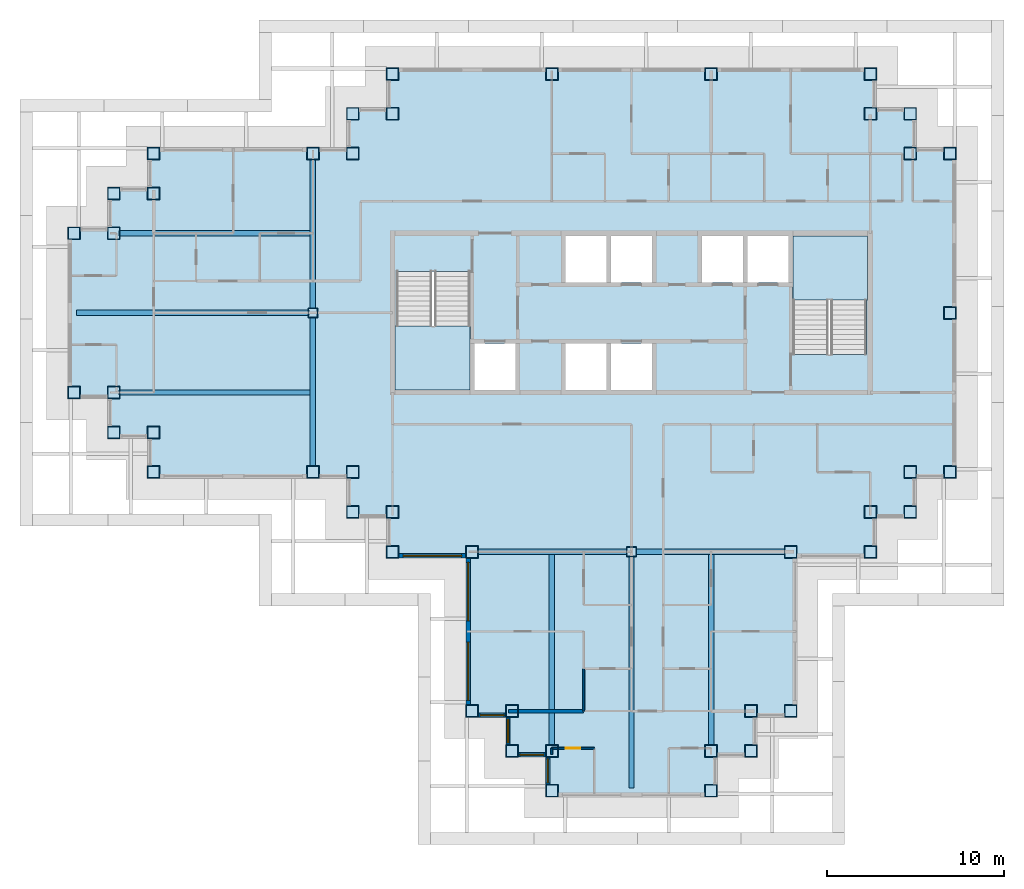
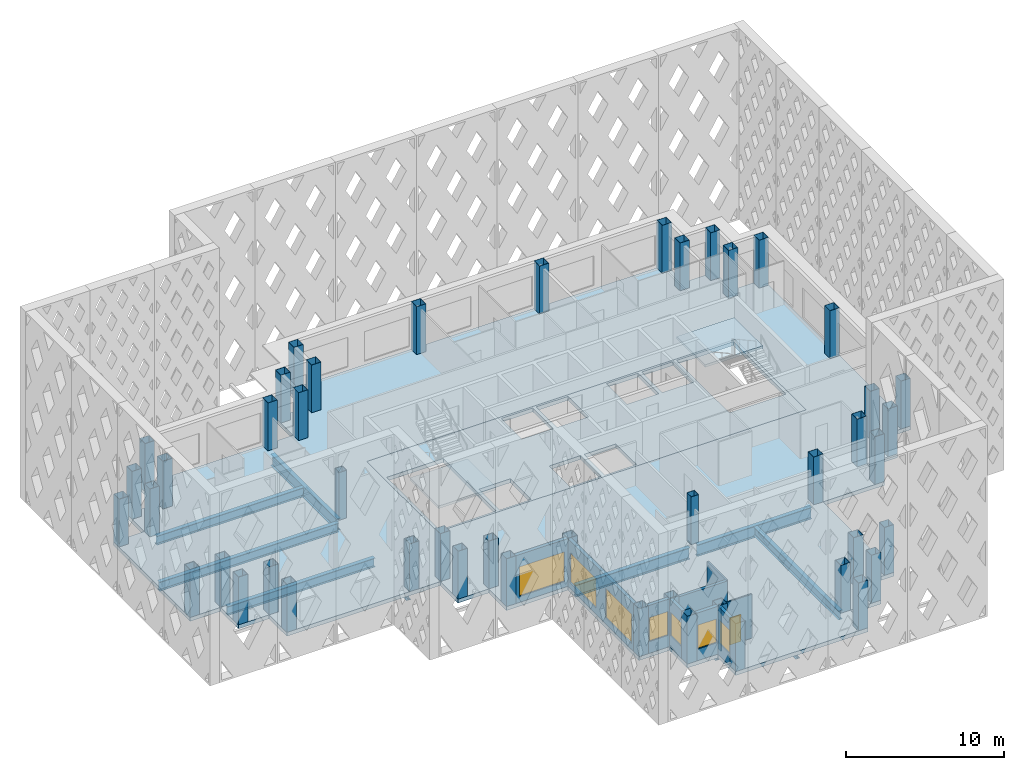
# One storey, part 1 of 17: 47 columns, 10 beams, 10 walls, 7 windows, 4 slabs, 1 door, 8 openings, 2 elements without a shape of their own.
"""IFC4 building model written with IfcOpenShell, lengths in metres."""

import ifcopenshell
import ifcopenshell.guid

model = None  # the IFC model being written
_history = None  # IfcOwnerHistory: only IFC2X3 demands one
_inside = {}  # id of a spatial element -> (the spatial element, [elements in it])
_under = {}  # id of a project, library or spatial element -> (it, [spatial elements below it])
_declared = {}  # id of a project -> (the project, [libraries it declares])
_typed = {}  # id of a type object -> (the type object, [elements of that type])
_made_of = {}  # id of a material, layer set ... -> (it, [elements and type objects made of it])


def new_model(schema):
    """Start an empty IFC model of exactly this schema.

    Asked for "IFC4X3", IfcOpenShell would pick the latest addendum, in which some entities
    have other attributes; the version numbers below select the first issue.
    IFC2X3 requires an IfcOwnerHistory on every rooted entity: one is made here for all.
    """
    global model, _history
    if schema == "IFC4X3":
        model = ifcopenshell.file(schema_version=(4, 3, 0, 0))
    else:
        model = ifcopenshell.file(schema=schema)
    _inside.clear()
    _under.clear()
    _declared.clear()
    _typed.clear()
    _made_of.clear()
    _history = None
    if model.schema == "IFC2X3":
        org = make("IfcOrganization", Name="unknown")
        user = make(
            "IfcPersonAndOrganization",
            ThePerson=make("IfcPerson", FamilyName="unknown"),
            TheOrganization=org,
        )
        app = make(
            "IfcApplication",
            ApplicationDeveloper=org,
            Version="unknown",
            ApplicationFullName="unknown",
            ApplicationIdentifier="unknown",
        )
        _history = make(
            "IfcOwnerHistory",
            OwningUser=user,
            OwningApplication=app,
            ChangeAction="ADDED",
            CreationDate=0,
        )
    return model


def make(cls, **values):
    """One entity of the class cls with the attributes given. An attribute that is None is left unset."""
    return model.create_entity(
        cls, **{name: value for name, value in values.items() if value is not None}
    )


def rooted(cls, **values):
    """An entity with a GlobalId (a new one), such as an element, a storey or a relation."""
    return make(cls, GlobalId=ifcopenshell.guid.new(), OwnerHistory=_history, **values)


def si_unit(unit_type, name, prefix=None):
    """IfcSIUnit, for example si_unit("LENGTHUNIT", "METRE", prefix="MILLI")."""
    return make("IfcSIUnit", UnitType=unit_type, Prefix=prefix, Name=name)


def assignment(units):
    """IfcUnitAssignment: the units of a project."""
    return None if units is None else make("IfcUnitAssignment", Units=units)


def point(xyz):
    """IfcCartesianPoint."""
    return None if xyz is None else make("IfcCartesianPoint", Coordinates=xyz)


def direction(xyz):
    """IfcDirection."""
    return None if xyz is None else make("IfcDirection", DirectionRatios=xyz)


def frame(location, z_axis=None, x_axis=None):
    """IfcAxis2Placement3D, a coordinate frame: its origin and axes. An axis left out is left unset."""
    return make(
        "IfcAxis2Placement3D",
        Location=point(location),
        Axis=direction(z_axis),
        RefDirection=direction(x_axis),
    )


def frame_2d(location, x_axis=None):
    """IfcAxis2Placement2D, a coordinate frame in the plane: its origin and x axis."""
    return make(
        "IfcAxis2Placement2D", Location=point(location), RefDirection=direction(x_axis)
    )


def origin():
    """The frame at (0, 0, 0) with its axes left unset."""
    return frame((0.0, 0.0, 0.0))


def origin_2d():
    """The frame at (0, 0) in the plane with its x axis left unset."""
    return frame_2d((0.0, 0.0))


def place(relative_to, where):
    """IfcLocalPlacement: puts the frame where relative to a parent placement (None: the world)."""
    return make(
        "IfcLocalPlacement", PlacementRelTo=relative_to, RelativePlacement=where
    )


def context(
    kind, dimensions, precision=None, world=None, true_north=None, identifier=None
):
    """IfcGeometricRepresentationContext, for example the 3D "Model" context."""
    return make(
        "IfcGeometricRepresentationContext",
        ContextIdentifier=identifier,
        ContextType=kind,
        CoordinateSpaceDimension=dimensions,
        Precision=precision,
        WorldCoordinateSystem=world,
        TrueNorth=true_north,
    )


def subcontext(parent, identifier, kind, view, scale=None):
    """IfcGeometricRepresentationSubContext, for example "Body" below "Model"."""
    return make(
        "IfcGeometricRepresentationSubContext",
        ContextIdentifier=identifier,
        ContextType=kind,
        ParentContext=parent,
        TargetScale=scale,
        TargetView=view,
    )


def project(units=None, contexts=None):
    """IfcProject with its units and contexts."""
    return rooted(
        "IfcProject",
        Name="project",
        RepresentationContexts=contexts,
        UnitsInContext=assignment(units),
    )


def spatial(cls, under=None, at=None, **own):
    """A site, building, storey or space (cls), placed at a placement, below another one or the project."""
    s = rooted(cls, ObjectPlacement=at, **own)
    if under is not None:
        _under.setdefault(under.id(), (under, []))[1].append(s)
    return s


def polyline(points):
    """IfcPolyline through the points."""
    return make("IfcPolyline", Points=[point(p) for p in points])


def profile(cls, at=None, kind="AREA", **sizes):
    """A parametric profile (cls). Its sizes go by their IFC names, for example OverallWidth=200.0."""
    return make(cls, ProfileType=kind, Position=at, **sizes)


def rectangle(**sizes):
    """IfcRectangleProfileDef."""
    return profile("IfcRectangleProfileDef", **sizes)


def hollow_rectangle(**sizes):
    """IfcRectangleHollowProfileDef."""
    return profile("IfcRectangleHollowProfileDef", **sizes)


def i_section(**sizes):
    """IfcIShapeProfileDef."""
    return profile("IfcIShapeProfileDef", **sizes)


def outline(outer, holes=None, kind="AREA"):
    """IfcArbitraryClosedProfileDef: a profile drawn as a closed curve; with holes, ...WithVoids."""
    if holes is None:
        return make("IfcArbitraryClosedProfileDef", ProfileType=kind, OuterCurve=outer)
    return make(
        "IfcArbitraryProfileDefWithVoids",
        ProfileType=kind,
        OuterCurve=outer,
        InnerCurves=holes,
    )


def extrude(swept, where, along, depth):
    """IfcExtrudedAreaSolid: the profile swept, set in the frame where, extruded along a direction by depth."""
    return make(
        "IfcExtrudedAreaSolid",
        SweptArea=swept,
        Position=where,
        ExtrudedDirection=direction(along),
        Depth=depth,
    )


def shape(context_of_items, identifier, shape_type, items):
    """IfcShapeRepresentation: the items that make up one representation, for example the "Body"."""
    return make(
        "IfcShapeRepresentation",
        ContextOfItems=context_of_items,
        RepresentationIdentifier=identifier,
        RepresentationType=shape_type,
        Items=items,
    )


def material(Name=None, Category=None):
    """IfcMaterial."""
    return make("IfcMaterial", Name=Name, Category=Category)


def layer(
    of_material, thickness, ventilated=None, Name=None, Category=None, Priority=None
):
    """IfcMaterialLayer: one layer of a wall or slab, of a material (None: an air gap)."""
    return make(
        "IfcMaterialLayer",
        Material=of_material,
        LayerThickness=thickness,
        IsVentilated=ventilated,
        Name=Name,
        Category=Category,
        Priority=Priority,
    )


def layer_set(layers, Name=None):
    """IfcMaterialLayerSet."""
    return make("IfcMaterialLayerSet", MaterialLayers=layers, LayerSetName=Name)


def material_profile(
    of_material, cross_section, Name=None, Category=None, Priority=None
):
    """IfcMaterialProfile: a cross section and its material."""
    return make(
        "IfcMaterialProfile",
        Name=Name,
        Material=of_material,
        Profile=cross_section,
        Priority=Priority,
        Category=Category,
    )


def profile_set(profiles, Name=None, composite=None):
    """IfcMaterialProfileSet."""
    return make(
        "IfcMaterialProfileSet",
        Name=Name,
        MaterialProfiles=profiles,
        CompositeProfile=composite,
    )


def made_of(thing, what):
    """Note that an element or type object is made of a material, layer set ...; save() writes the relation."""
    if what is not None:
        _made_of.setdefault(what.id(), (what, []))[1].append(thing)
    return thing


def type_object(cls, material=None, **own):
    """A type object (cls), such as IfcWallType, which elements share."""
    return made_of(rooted(cls, **own), material)


def element(
    cls,
    number,
    at=None,
    inside=None,
    cuts=None,
    type_object=None,
    material=None,
    context=None,
    identifier="Body",
    shape_type=None,
    held_by="IfcProductDefinitionShape",
    body=None,
    shapes=None,
    **own,
):
    """One element of the class cls, such as IfcWall. Its Tag is "e" and its number.

    at: its placement. inside: the storey or other place that contains it. cuts: it is an
    opening in that element (IfcRelVoidsElement). A single representation is given by context,
    identifier, shape_type and body (its items); several are given by shapes. held_by: the class
    of the entity that holds the representations. save() writes the other relations.
    """
    e = rooted(cls, Tag="e%d" % number, ObjectPlacement=at, **own)
    if body is not None:
        shapes = [shape(context, identifier, shape_type, body)]
    if shapes is not None:
        e.Representation = make(held_by, Representations=shapes)
    if inside is not None:
        _inside.setdefault(inside.id(), (inside, []))[1].append(e)
    if cuts is not None:
        rooted(
            "IfcRelVoidsElement", RelatingBuildingElement=cuts, RelatedOpeningElement=e
        )
    if type_object is not None:
        _typed.setdefault(type_object.id(), (type_object, []))[1].append(e)
    return made_of(e, material)


def fill(opening, filler):
    """IfcRelFillsElement: the door or window that sits in an opening."""
    return rooted(
        "IfcRelFillsElement",
        RelatingOpeningElement=opening,
        RelatedBuildingElement=filler,
    )


def aggregate(whole, parts):
    """IfcRelAggregates: a whole, such as a stair, and the parts it consists of."""
    return rooted("IfcRelAggregates", RelatingObject=whole, RelatedObjects=parts)


def save(model, path):
    """Write the relations noted so far, then the file.

    IfcRelAggregates (storeys below a building ...), IfcRelContainedInSpatialStructure (elements
    in a storey), IfcRelDefinesByType, IfcRelAssociatesMaterial and IfcRelDeclares: one each for
    every whole, place, type object, material and project.
    """
    for whole, parts in _under.values():
        aggregate(whole, parts)
    for where, things in _inside.values():
        rooted(
            "IfcRelContainedInSpatialStructure",
            RelatedElements=things,
            RelatingStructure=where,
        )
    for kind, things in _typed.values():
        rooted("IfcRelDefinesByType", RelatedObjects=things, RelatingType=kind)
    for what, things in _made_of.values():
        rooted("IfcRelAssociatesMaterial", RelatedObjects=things, RelatingMaterial=what)
    for by, libraries in _declared.values():
        rooted("IfcRelDeclares", RelatingContext=by, RelatedDefinitions=libraries)
    model.write(path)


model = new_model("IFC4")

# Units and contexts
model_context = context("Model", 3, precision=1e-05, world=origin(), true_north=direction((0.0, 1.0)))
body_context = subcontext(model_context, "Body", "Model", "MODEL_VIEW")
ifc_project = project(units=[si_unit("LENGTHUNIT", "METRE"), si_unit("AREAUNIT", "SQUARE_METRE"), si_unit("VOLUMEUNIT", "CUBIC_METRE"), si_unit("PLANEANGLEUNIT", "RADIAN"), si_unit("MASSUNIT", "GRAM", prefix="KILO")], contexts=[model_context])

# Site, building, storey
site_placement = place(None, origin())
site = spatial("IfcSite", under=ifc_project, at=site_placement, CompositionType="ELEMENT")
building_placement = place(site_placement, origin())
building = spatial("IfcBuilding", under=site, at=building_placement, Name="Caravel Reach Hotel and Residences", CompositionType="ELEMENT")
storey_placement = place(building_placement, frame((0.0, 0.0, 192.39990234375)))
storey = spatial("IfcBuildingStorey", under=building, at=storey_placement, Name="L48", CompositionType="ELEMENT", Elevation=192.39990234375)

# Columns
ifc_material_1 = material(Name="Concrete-filled steel tube Q390B with Concrete C60 infill", Category="concrete")
ifc_material_profile_1 = material_profile(ifc_material_1, hollow_rectangle(XDim=0.550048828125, YDim=0.550048828125, WallThickness=0.01806640625, at=origin_2d()), Name="RHS 550x550x18")
ifc_profile_set_1 = profile_set([ifc_material_profile_1], Name="Concrete-filled steel tube Q390B with Concrete C60 infill")
column_type_1 = type_object("IfcColumnType", Name="CFT 550x550 Q390B C60", PredefinedType="COLUMN", material=ifc_profile_set_1)
for number, where, z_axis, x_axis, name in (
    (1, (31.5, 13.5, 0.0), (0.0, 0.0, 1.0), (1.0, 0.0, 0.0), "C18 column"),
    (2, (13.5, 27.0, 0.0), (0.0, 0.0, 1.0), (1.0, 0.0, 0.0), "C18 column"),
):
    element("IfcColumn", number, at=place(storey_placement, frame(where, z_axis=z_axis, x_axis=x_axis)), inside=storey, type_object=column_type_1, Name=name, PredefinedType="COLUMN", context=body_context, shape_type="SweptSolid", body=[
        extrude(hollow_rectangle(XDim=0.550048828125, YDim=0.550048828125, WallThickness=0.01806640625, at=origin_2d()), origin(), (0.0, 0.0, 1.0), 3.7001953125),
    ])
ifc_material_2 = material(Name="Concrete-filled steel tube Q390B with Concrete C60 infill", Category="concrete")
ifc_material_profile_2 = material_profile(ifc_material_2, hollow_rectangle(XDim=0.699951171875, YDim=0.699951171875, WallThickness=0.02197265625, at=origin_2d()), Name="RHS 700x700x22")
ifc_profile_set_2 = profile_set([ifc_material_profile_2], Name="Concrete-filled steel tube Q390B with Concrete C60 infill")
column_type_2 = type_object("IfcColumnType", Name="CFT 700x700 Q390B C60", PredefinedType="COLUMN", material=ifc_profile_set_2)
for number, where, z_axis, x_axis, name in (
    (3, (40.5, 13.5, 0.0), (0.0, 0.0, 1.0), (1.0, 0.0, 0.0), "C7 column"),
    (4, (45.0, 13.5, 0.0), (0.0, 0.0, 1.0), (1.0, 0.0, 0.0), "C7 column"),
    (5, (45.0, 15.75, 0.0), (0.0, 0.0, 1.0), (1.0, 0.0, 0.0), "C7 column"),
    (6, (47.25, 15.75, 0.0), (0.0, 0.0, 1.0), (1.0, 0.0, 0.0), "C7 column"),
    (7, (47.25, 18.0, 0.0), (0.0, 0.0, 1.0), (1.0, 0.0, 0.0), "C7 column"),
    (8, (49.5, 18.0, 0.0), (0.0, 0.0, 1.0), (1.0, 0.0, 0.0), "C7 column"),
    (9, (49.5, 27.0, 0.0), (0.0, 0.0, 1.0), (1.0, 0.0, 0.0), "C7 column"),
    (10, (49.5, 36.0, 0.0), (0.0, 0.0, 1.0), (1.0, 0.0, 0.0), "C7 column"),
    (11, (47.25, 36.0, 0.0), (0.0, 0.0, 1.0), (1.0, 0.0, 0.0), "C7 column"),
    (12, (47.25, 38.25, 0.0), (0.0, 0.0, 1.0), (1.0, 0.0, 0.0), "C7 column"),
    (13, (45.0, 38.25, 0.0), (0.0, 0.0, 1.0), (1.0, 0.0, 0.0), "C7 column"),
    (14, (45.0, 40.5, 0.0), (0.0, 0.0, 1.0), (1.0, 0.0, 0.0), "C7 column"),
    (15, (36.0, 40.5, 0.0), (0.0, 0.0, 1.0), (1.0, 0.0, 0.0), "C7 column"),
    (16, (27.0, 40.5, 0.0), (0.0, 0.0, 1.0), (1.0, 0.0, 0.0), "C7 column"),
    (17, (18.0, 40.5, 0.0), (0.0, 0.0, 1.0), (1.0, 0.0, 0.0), "C7 column"),
    (18, (18.0, 38.25, 0.0), (0.0, 0.0, 1.0), (1.0, 0.0, 0.0), "C7 column"),
    (19, (15.75, 38.25, 0.0), (0.0, 0.0, 1.0), (1.0, 0.0, 0.0), "C7 column"),
    (20, (15.75, 36.0, 0.0), (0.0, 0.0, 1.0), (1.0, 0.0, 0.0), "C7 column"),
    (21, (13.5, 36.0, 0.0), (0.0, 0.0, 1.0), (1.0, 0.0, 0.0), "C7 column"),
    (22, (4.5, 36.0, 0.0), (0.0, 0.0, 1.0), (1.0, 0.0, 0.0), "C7 column"),
    (23, (4.5, 33.75, 0.0), (0.0, 0.0, 1.0), (1.0, 0.0, 0.0), "C7 column"),
    (24, (2.25, 33.75, 0.0), (0.0, 0.0, 1.0), (1.0, 0.0, 0.0), "C7 column"),
    (25, (2.25, 31.5, 0.0), (0.0, 0.0, 1.0), (1.0, 0.0, 0.0), "C7 column"),
    (26, (0.0, 31.5, 0.0), (0.0, 0.0, 1.0), (1.0, 0.0, 0.0), "C7 column"),
    (27, (0.0, 22.5, 0.0), (0.0, 0.0, 1.0), (1.0, 0.0, 0.0), "C7 column"),
    (28, (2.25, 22.5, 0.0), (0.0, 0.0, 1.0), (1.0, 0.0, 0.0), "C7 column"),
    (29, (2.25, 20.25, 0.0), (0.0, 0.0, 1.0), (1.0, 0.0, 0.0), "C7 column"),
    (30, (4.5, 20.25, 0.0), (0.0, 0.0, 1.0), (1.0, 0.0, 0.0), "C7 column"),
    (31, (4.5, 18.0, 0.0), (0.0, 0.0, 1.0), (1.0, 0.0, 0.0), "C7 column"),
    (32, (13.5, 18.0, 0.0), (0.0, 0.0, 1.0), (1.0, 0.0, 0.0), "C7 column"),
    (33, (15.75, 18.0, 0.0), (0.0, 0.0, 1.0), (1.0, 0.0, 0.0), "C7 column"),
    (34, (15.75, 15.75, 0.0), (0.0, 0.0, 1.0), (1.0, 0.0, 0.0), "C7 column"),
    (35, (18.0, 15.75, 0.0), (0.0, 0.0, 1.0), (1.0, 0.0, 0.0), "C7 column"),
    (36, (18.0, 13.5, 0.0), (0.0, 0.0, 1.0), (1.0, 0.0, 0.0), "C7 column"),
    (37, (22.5, 13.5, 0.0), (0.0, 0.0, 1.0), (1.0, 0.0, 0.0), "C7 column"),
    (38, (22.5, 4.5, 0.0), (0.0, 0.0, 1.0), (1.0, 0.0, 0.0), "C7 column"),
    (39, (24.75, 4.5, 0.0), (0.0, 0.0, 1.0), (1.0, 0.0, 0.0), "C7 column"),
    (40, (24.75, 2.25, 0.0), (0.0, 0.0, 1.0), (1.0, 0.0, 0.0), "C7 column"),
    (41, (27.0, 2.25, 0.0), (0.0, 0.0, 1.0), (1.0, 0.0, 0.0), "C7 column"),
    (42, (27.0, 0.0, 0.0), (0.0, 0.0, 1.0), (1.0, 0.0, 0.0), "C7 column"),
    (43, (36.0, 0.0, 0.0), (0.0, 0.0, 1.0), (1.0, 0.0, 0.0), "C7 column"),
    (44, (36.0, 2.25, 0.0), (0.0, 0.0, 1.0), (1.0, 0.0, 0.0), "C7 column"),
    (45, (38.25, 2.25, 0.0), (0.0, 0.0, 1.0), (1.0, 0.0, 0.0), "C7 column"),
    (46, (38.25, 4.5, 0.0), (0.0, 0.0, 1.0), (1.0, 0.0, 0.0), "C7 column"),
    (47, (40.5, 4.5, 0.0), (0.0, 0.0, 1.0), (1.0, 0.0, 0.0), "C7 column"),
):
    element("IfcColumn", number, at=place(storey_placement, frame(where, z_axis=z_axis, x_axis=x_axis)), inside=storey, type_object=column_type_2, Name=name, PredefinedType="COLUMN", context=body_context, shape_type="SweptSolid", body=[
        extrude(hollow_rectangle(XDim=0.699951171875, YDim=0.699951171875, WallThickness=0.02197265625, at=origin_2d()), origin(), (0.0, 0.0, 1.0), 3.7001953125),
    ])

# Beams
ifc_material_3 = material(Name="Structural steel Q355B", Category="steel")
ifc_material_profile_3 = material_profile(ifc_material_3, i_section(OverallWidth=0.300048828125, OverallDepth=0.699951171875, WebThickness=0.012939453125, FlangeThickness=0.02392578125, FilletRadius=0.01806640625, at=origin_2d()), Name="HN 700x300x13x24")
ifc_profile_set_3 = profile_set([ifc_material_profile_3], Name="Structural steel Q355B")
beam_type_1 = type_object("IfcBeamType", Name="Beam HN 700x300x13x24", PredefinedType="BEAM", material=ifc_profile_set_3)
beam_1_placement = place(storey_placement, frame((27.0, 13.35009765625, -0.64990234375), z_axis=(0.0, -1.0, 0.0), x_axis=(1.0, 0.0, 0.0)))
element("IfcBeam", 48, at=beam_1_placement, inside=storey, type_object=beam_type_1, Name="B2 HN 700x300x13x24", PredefinedType="BEAM", context=body_context, shape_type="SweptSolid", body=[
    extrude(i_section(OverallWidth=0.300048828125, OverallDepth=0.699951171875, WebThickness=0.012939453125, FlangeThickness=0.02392578125, FilletRadius=0.01806640625, at=origin_2d()), origin(), (0.0, 0.0, 1.0), 10.800048828125),
])
beam_2_placement = place(storey_placement, frame((31.5, 13.27490234375, -0.64990234375), z_axis=(0.0, -1.0, 0.0), x_axis=(1.0, 0.0, 0.0)))
element("IfcBeam", 49, at=beam_2_placement, inside=storey, type_object=beam_type_1, Name="B2 HN 700x300x13x24", PredefinedType="BEAM", context=body_context, shape_type="SweptSolid", body=[
    extrude(i_section(OverallWidth=0.300048828125, OverallDepth=0.699951171875, WebThickness=0.012939453125, FlangeThickness=0.02392578125, FilletRadius=0.01806640625, at=origin_2d()), origin(), (0.0, 0.0, 1.0), 13.125),
])
for number, where, z_axis, x_axis, name in (
    (50, (36.0, 13.35009765625, -0.64990234375), (0.0, -1.0, 0.0), (1.0, 0.0, 0.0), "B2 HN 700x300x13x24"),
    (51, (13.35009765625, 22.5, -0.64990234375), (-1.0, 0.0, 0.0), (0.0, -1.0, 0.0), "B2 HN 700x300x13x24"),
):
    element("IfcBeam", number, at=place(storey_placement, frame(where, z_axis=z_axis, x_axis=x_axis)), inside=storey, type_object=beam_type_1, Name=name, PredefinedType="BEAM", context=body_context, shape_type="SweptSolid", body=[
        extrude(i_section(OverallWidth=0.300048828125, OverallDepth=0.699951171875, WebThickness=0.012939453125, FlangeThickness=0.02392578125, FilletRadius=0.01806640625, at=origin_2d()), origin(), (0.0, 0.0, 1.0), 10.800048828125),
    ])
beam_3_placement = place(storey_placement, frame((13.27490234375, 27.0, -0.64990234375), z_axis=(-1.0, 0.0, 0.0), x_axis=(0.0, -1.0, 0.0)))
element("IfcBeam", 52, at=beam_3_placement, inside=storey, type_object=beam_type_1, Name="B2 HN 700x300x13x24", PredefinedType="BEAM", context=body_context, shape_type="SweptSolid", body=[
    extrude(i_section(OverallWidth=0.300048828125, OverallDepth=0.699951171875, WebThickness=0.012939453125, FlangeThickness=0.02392578125, FilletRadius=0.01806640625, at=origin_2d()), origin(), (0.0, 0.0, 1.0), 13.125),
])
beam_4_placement = place(storey_placement, frame((13.35009765625, 31.5, -0.64990234375), z_axis=(-1.0, 0.0, 0.0), x_axis=(0.0, -1.0, 0.0)))
element("IfcBeam", 53, at=beam_4_placement, inside=storey, type_object=beam_type_1, Name="B2 HN 700x300x13x24", PredefinedType="BEAM", context=body_context, shape_type="SweptSolid", body=[
    extrude(i_section(OverallWidth=0.300048828125, OverallDepth=0.699951171875, WebThickness=0.012939453125, FlangeThickness=0.02392578125, FilletRadius=0.01806640625, at=origin_2d()), origin(), (0.0, 0.0, 1.0), 10.800048828125),
])
ifc_material_4 = material(Name="Structural steel Q355B", Category="steel")
ifc_material_profile_4 = material_profile(ifc_material_4, i_section(OverallWidth=0.300048828125, OverallDepth=0.89990234375, WebThickness=0.01611328125, FlangeThickness=0.028076171875, FilletRadius=0.01806640625, at=origin_2d()), Name="HN 900x300x16x28")
ifc_profile_set_4 = profile_set([ifc_material_profile_4], Name="Structural steel Q355B")
beam_type_2 = type_object("IfcBeamType", Name="Beam HN 900x300x16x28", PredefinedType="BEAM", material=ifc_profile_set_4)
for number, where, z_axis, x_axis, name in (
    (54, (22.85009765625, 13.5, -0.75), (1.0, 0.0, 0.0), (0.0, 1.0, 0.0), "B3 HN 900x300x16x28"),
    (55, (31.77490234375, 13.5, -0.75), (1.0, 0.0, 0.0), (0.0, 1.0, 0.0), "B3 HN 900x300x16x28"),
    (56, (13.5, 18.35009765625, -0.75), (0.0, 1.0, 0.0), (-1.0, 0.0, 0.0), "B3 HN 900x300x16x28"),
    (57, (13.5, 27.27490234375, -0.75), (0.0, 1.0, 0.0), (-1.0, 0.0, 0.0), "B3 HN 900x300x16x28"),
):
    element("IfcBeam", number, at=place(storey_placement, frame(where, z_axis=z_axis, x_axis=x_axis)), inside=storey, type_object=beam_type_2, Name=name, PredefinedType="BEAM", context=body_context, shape_type="SweptSolid", body=[
        extrude(i_section(OverallWidth=0.300048828125, OverallDepth=0.89990234375, WebThickness=0.01611328125, FlangeThickness=0.028076171875, FilletRadius=0.01806640625, at=origin_2d()), origin(), (0.0, 0.0, 1.0), 8.375),
    ])

# Slab
ifc_material_5 = material(Name="Concrete C40", Category="concrete")
ifc_layer_1 = layer(ifc_material_5, 0.300048828125)
ifc_layer_set_1 = layer_set([ifc_layer_1], Name="Core floor slab 300 mm")
slab_type_1 = type_object("IfcSlabType", Name="Core floor slab 300 mm", PredefinedType="FLOOR", material=ifc_layer_set_1)
slab_1_placement = place(storey_placement, frame((0.0, 0.0, -0.2998046875)))
element("IfcSlab", 58, at=slab_1_placement, inside=storey, type_object=slab_type_1, Name="L48 core floor", PredefinedType="FLOOR", context=body_context, shape_type="SweptSolid", body=[
    extrude(outline(polyline([(18.0, 31.5), (45.0, 31.5), (45.0, 22.5), (18.0, 22.5), (18.0, 31.5)]), holes=[polyline([(22.625, 25.27490234375), (22.625, 22.64990234375), (24.9462890625, 22.64990234375), (24.9462890625, 25.27490234375), (22.625, 25.27490234375)]), polyline([(27.767822265625, 25.27490234375), (27.767822265625, 22.64990234375), (30.08935546875, 22.64990234375), (30.08935546875, 25.27490234375), (27.767822265625, 25.27490234375)]), polyline([(30.33935546875, 25.27490234375), (30.33935546875, 22.64990234375), (32.66064453125, 22.64990234375), (32.66064453125, 25.27490234375), (30.33935546875, 25.27490234375)]), polyline([(22.375, 22.64990234375), (22.375, 29.35009765625), (18.22509765625, 29.35009765625), (18.22509765625, 22.64990234375), (22.375, 22.64990234375)]), polyline([(40.625, 31.35009765625), (40.625, 24.64990234375), (44.77490234375, 24.64990234375), (44.77490234375, 31.35009765625), (40.625, 31.35009765625)]), polyline([(27.767822265625, 31.35009765625), (27.767822265625, 28.72509765625), (30.08935546875, 28.72509765625), (30.08935546875, 31.35009765625), (27.767822265625, 31.35009765625)]), polyline([(30.33935546875, 31.35009765625), (30.33935546875, 28.72509765625), (32.66064453125, 28.72509765625), (32.66064453125, 31.35009765625), (30.33935546875, 31.35009765625)]), polyline([(37.8037109375, 31.35009765625), (35.482177734375, 31.35009765625), (35.482177734375, 28.72509765625), (37.8037109375, 28.72509765625), (37.8037109375, 31.35009765625)]), polyline([(40.375, 31.35009765625), (38.0537109375, 31.35009765625), (38.0537109375, 28.72509765625), (40.375, 28.72509765625), (40.375, 31.35009765625)])]), origin(), (0.0, 0.0, 1.0), 0.2998046875),
])

# Stair, slab
ifc_material_6 = material(Name="Concrete C40", Category="concrete")
stair_type = type_object("IfcStairType", Name="Core stair", PredefinedType="HALF_TURN_STAIR", material=ifc_material_6)
stair_1_placement = place(storey_placement, origin())
stair_1 = element("IfcStair", 59, at=stair_1_placement, inside=storey, type_object=stair_type, Name="L48 Exit stair A", PredefinedType="HALF_TURN_STAIR")
ifc_material_7 = material(Name="Concrete C40", Category="concrete")
ifc_layer_2 = layer(ifc_material_7, 0.199951171875)
ifc_layer_set_2 = layer_set([ifc_layer_2], Name="Core stair landing")
slab_type_2 = type_object("IfcSlabType", Name="Core stair landing", PredefinedType="LANDING", material=ifc_layer_set_2)
slab_2_placement = place(storey_placement, frame((0.0, 0.0, 1.650146484375)))
slab_2 = element("IfcSlab", 60, at=slab_2_placement, type_object=slab_type_2, Name="ST-A landing 1", PredefinedType="LANDING", context=body_context, shape_type="SweptSolid", body=[
    extrude(outline(polyline([(18.14990234375, 26.27001953125), (18.14990234375, 22.64990234375), (22.375, 22.64990234375), (22.375, 26.27001953125), (18.14990234375, 26.27001953125)])), origin(), (0.0, 0.0, 1.0), 0.199951171875),
])
aggregate(stair_1, [slab_2])

stair_2_placement = place(storey_placement, origin())
stair_2 = element("IfcStair", 61, at=stair_2_placement, inside=storey, type_object=stair_type, Name="L48 Exit stair B", PredefinedType="HALF_TURN_STAIR")
slab_3_placement = place(storey_placement, frame((0.0, 0.0, 1.650146484375)))
slab_3 = element("IfcSlab", 62, at=slab_3_placement, type_object=slab_type_2, Name="ST-B landing 1", PredefinedType="LANDING", context=body_context, shape_type="SweptSolid", body=[
    extrude(outline(polyline([(44.85009765625, 27.72998046875), (44.85009765625, 31.35009765625), (40.625, 31.35009765625), (40.625, 27.72998046875), (44.85009765625, 27.72998046875)])), origin(), (0.0, 0.0, 1.0), 0.199951171875),
])
aggregate(stair_2, [slab_3])

# Slab
ifc_material_8 = material(Name="Concrete C40 post-tensioned", Category="concrete")
ifc_layer_3 = layer(ifc_material_8, 0.300048828125)
ifc_layer_set_3 = layer_set([ifc_layer_3], Name="Floor slab 300")
slab_type_3 = type_object("IfcSlabType", Name="Floor slab 300", PredefinedType="FLOOR", material=ifc_layer_set_3)
slab_4_placement = place(storey_placement, frame((0.0, 0.0, -0.2998046875)))
element("IfcSlab", 63, at=slab_4_placement, inside=storey, type_object=slab_type_3, Name="S2 slab L48", PredefinedType="FLOOR", context=body_context, shape_type="SweptSolid", body=[
    extrude(outline(polyline([(38.60009765625, 4.14990234375), (38.60009765625, 1.89990234375), (36.35009765625, 1.89990234375), (36.35009765625, -0.35009765625), (26.64990234375, -0.35009765625), (26.64990234375, 1.89990234375), (24.39990234375, 1.89990234375), (24.39990234375, 4.14990234375), (22.14990234375, 4.14990234375), (22.14990234375, 13.14990234375), (17.64990234375, 13.14990234375), (17.64990234375, 15.39990234375), (15.39990234375, 15.39990234375), (15.39990234375, 17.64990234375), (4.14990234375, 17.64990234375), (4.14990234375, 19.89990234375), (1.89990234375, 19.89990234375), (1.89990234375, 22.14990234375), (-0.35009765625, 22.14990234375), (-0.35009765625, 31.85009765625), (1.89990234375, 31.85009765625), (1.89990234375, 34.10009765625), (4.14990234375, 34.10009765625), (4.14990234375, 36.35009765625), (15.39990234375, 36.35009765625), (15.39990234375, 38.60009765625), (17.64990234375, 38.60009765625), (17.64990234375, 40.85009765625), (45.35009765625, 40.85009765625), (45.35009765625, 38.60009765625), (47.60009765625, 38.60009765625), (47.60009765625, 36.35009765625), (49.85009765625, 36.35009765625), (49.85009765625, 17.64990234375), (47.60009765625, 17.64990234375), (47.60009765625, 15.39990234375), (45.35009765625, 15.39990234375), (45.35009765625, 13.14990234375), (40.85009765625, 13.14990234375), (40.85009765625, 4.14990234375), (38.60009765625, 4.14990234375)]), holes=[polyline([(45.0, 31.5), (18.0, 31.5), (18.0, 22.5), (45.0, 22.5), (45.0, 31.5)])]), origin(), (0.0, 0.0, 1.0), 0.2998046875),
])

# Wall, opening, door
ifc_material_9 = material(Name="Gypsum board on steel stud", Category="steel")
ifc_layer_4 = layer(ifc_material_9, 0.10009765625)
ifc_layer_set_4 = layer_set([ifc_layer_4], Name="Bathroom pod wall 100 mm")
wall_type_1 = type_object("IfcWallType", Name="Bathroom pod wall 100 mm", PredefinedType="PARTITIONING", material=ifc_layer_set_4)
wall_1_placement = place(storey_placement, frame((27.0, 2.39990234375, 0.0), z_axis=(0.0, 0.0, 1.0), x_axis=(1.0, 0.0, 0.0)))
wall_1 = element("IfcWall", 64, at=wall_1_placement, inside=storey, type_object=wall_type_1, Name="L48 wall w078", PredefinedType="PARTITIONING", context=body_context, shape_type="SweptSolid", body=[
    extrude(rectangle(XDim=2.39990234375, YDim=0.10009765625, at=frame_2d((1.199951171875, 0.0))), origin(), (0.0, 0.0, 1.0), 3.400146484375),
])
opening_1_placement = place(wall_1_placement, frame((0.800048828125, 0.0, 0.0)))
opening_1 = element("IfcOpeningElement", 65, at=opening_1_placement, cuts=wall_1, Name="Opening D48-049", PredefinedType="OPENING", context=body_context, shape_type="SweptSolid", body=[
    extrude(rectangle(XDim=0.800048828125, YDim=2.10009765625, at=frame_2d((0.39990234375, 1.050048828125))), frame((0.0, 0.06005859375, 0.0), z_axis=(0.0, -1.0, 0.0), x_axis=(1.0, 0.0, 0.0)), (0.0, 0.0, 1.0), 0.1201171875),
])
ifc_material_10 = material(Name="Timber and steel door leaf", Category="steel")
door_type = type_object("IfcDoorType", Name="Bathroom door 800 x 2100", OperationType="SINGLE_SWING_LEFT", PredefinedType="DOOR", material=ifc_material_10)
door_placement = place(opening_1_placement, origin())
door = element("IfcDoor", 66, at=door_placement, inside=storey, type_object=door_type, Name="door D48-049", OperationType="SINGLE_SWING_RIGHT", OverallHeight=2.10009765625, OverallWidth=0.800048828125, PredefinedType="DOOR", context=body_context, shape_type="SweptSolid", body=[
    extrude(rectangle(XDim=0.800048828125, YDim=2.10009765625, at=frame_2d((0.39990234375, 1.050048828125))), frame((0.0, 0.02490234375, 0.0), z_axis=(0.0, -1.0, 0.0), x_axis=(1.0, 0.0, 0.0)), (0.0, 0.0, 1.0), 0.050048828125),
])
fill(opening_1, door)

# Walls
wall_2_placement = place(storey_placement, frame((27.0, 2.06005859375, 0.0), z_axis=(0.0, 0.0, 1.0), x_axis=(0.0, 1.0, 0.0)))
element("IfcWall", 67, at=wall_2_placement, inside=storey, type_object=wall_type_1, Name="L48 wall w093", PredefinedType="PARTITIONING", context=body_context, shape_type="SweptSolid", body=[
    extrude(rectangle(XDim=0.33984375, YDim=0.10009765625, at=frame_2d((0.169921875, 0.0))), origin(), (0.0, 0.0, 1.0), 3.400146484375),
])
wall_3_placement = place(storey_placement, frame((28.800048828125, 4.5, 0.0), z_axis=(0.0, 0.0, 1.0), x_axis=(0.0, 1.0, 0.0)))
element("IfcWall", 68, at=wall_3_placement, inside=storey, type_object=wall_type_1, Name="L48 wall w094", PredefinedType="PARTITIONING", context=body_context, shape_type="SweptSolid", body=[
    extrude(rectangle(XDim=2.39990234375, YDim=0.10009765625, at=frame_2d((1.199951171875, 0.0))), origin(), (0.0, 0.0, 1.0), 3.400146484375),
])

# Wall, opening, window
ifc_material_11 = material(Name="Insulated rainscreen wall, aluminium cladding", Category="aluminium")
ifc_layer_5 = layer(ifc_material_11, 0.25)
ifc_layer_set_5 = layer_set([ifc_layer_5], Name="EW1 Tower rainscreen wall")
wall_type_2 = type_object("IfcWallType", Name="EW1 Tower rainscreen wall", PredefinedType="SOLIDWALL", material=ifc_layer_set_5)
wall_4_placement = place(storey_placement, frame((18.35009765625, 13.27490234375, 0.0), z_axis=(0.0, 0.0, 1.0), x_axis=(1.0, 0.0, 0.0)))
wall_4 = element("IfcWall", 69, at=wall_4_placement, inside=storey, type_object=wall_type_2, Name="External wall L48 S29.1", PredefinedType="SOLIDWALL", context=body_context, shape_type="SweptSolid", body=[
    extrude(rectangle(XDim=3.7998046875, YDim=0.25, at=frame_2d((1.89990234375, 0.0))), origin(), (0.0, 0.0, 1.0), 3.7001953125),
])
opening_2_placement = place(wall_4_placement, frame((0.25, 0.0, 0.449951171875)))
opening_2 = element("IfcOpeningElement", 70, at=opening_2_placement, cuts=wall_4, Name="Opening WN15", PredefinedType="OPENING", context=body_context, shape_type="SweptSolid", body=[
    extrude(rectangle(XDim=3.300048828125, YDim=2.300048828125, at=frame_2d((1.64990234375, 1.14990234375))), frame((0.0, 0.135009765625, 0.0), z_axis=(0.0, -1.0, 0.0), x_axis=(1.0, 0.0, 0.0)), (0.0, 0.0, 1.0), 0.27001953125),
])
ifc_material_12 = material(Name="Dark low-e glazing in black aluminium frame", Category="aluminium")
window_type_1 = type_object("IfcWindowType", Name="Residence living window 3300 x 2300", PartitioningType="SINGLE_PANEL", PredefinedType="WINDOW", material=ifc_material_12)
window_1_placement = place(opening_2_placement, origin())
window_1 = element("IfcWindow", 71, at=window_1_placement, inside=storey, type_object=window_type_1, Name="Window L48 S29.1.1", OverallHeight=2.300048828125, OverallWidth=3.300048828125, PartitioningType="SINGLE_PANEL", PredefinedType="WINDOW", context=body_context, shape_type="SweptSolid", body=[
    extrude(rectangle(XDim=3.300048828125, YDim=2.300048828125, at=frame_2d((1.64990234375, 1.14990234375))), frame((0.0, 0.030029296875, 0.0), z_axis=(0.0, -1.0, 0.0), x_axis=(1.0, 0.0, 0.0)), (0.0, 0.0, 1.0), 0.06005859375),
])
fill(opening_2, window_1)

# Wall, openings, windows
wall_5_placement = place(storey_placement, frame((22.27490234375, 13.14990234375, 0.0), z_axis=(0.0, 0.0, 1.0), x_axis=(0.0, -1.0, 0.0)))
wall_5 = element("IfcWall", 72, at=wall_5_placement, inside=storey, type_object=wall_type_2, Name="External wall L48 W30.1", PredefinedType="SOLIDWALL", context=body_context, shape_type="SweptSolid", body=[
    extrude(rectangle(XDim=8.2998046875, YDim=0.25, at=frame_2d((4.14990234375, 0.0))), origin(), (0.0, 0.0, 1.0), 3.7001953125),
])
opening_3_placement = place(wall_5_placement, frame((0.25, 0.0, 0.449951171875)))
opening_3 = element("IfcOpeningElement", 73, at=opening_3_placement, cuts=wall_5, Name="Opening WN15", PredefinedType="OPENING", context=body_context, shape_type="SweptSolid", body=[
    extrude(rectangle(XDim=3.300048828125, YDim=2.300048828125, at=frame_2d((1.64990234375, 1.14990234375))), frame((0.0, 0.135009765625, 0.0), z_axis=(0.0, -1.0, 0.0), x_axis=(1.0, 0.0, 0.0)), (0.0, 0.0, 1.0), 0.27001953125),
])
opening_4_placement = place(wall_5_placement, frame((4.75, 0.0, 0.449951171875)))
opening_4 = element("IfcOpeningElement", 74, at=opening_4_placement, cuts=wall_5, Name="Opening WN15", PredefinedType="OPENING", context=body_context, shape_type="SweptSolid", body=[
    extrude(rectangle(XDim=3.300048828125, YDim=2.300048828125, at=frame_2d((1.64990234375, 1.14990234375))), frame((0.0, 0.135009765625, 0.0), z_axis=(0.0, -1.0, 0.0), x_axis=(1.0, 0.0, 0.0)), (0.0, 0.0, 1.0), 0.27001953125),
])
window_2_placement = place(opening_3_placement, origin())
window_2 = element("IfcWindow", 75, at=window_2_placement, inside=storey, type_object=window_type_1, Name="Window L48 W30.1.1", OverallHeight=2.300048828125, OverallWidth=3.300048828125, PartitioningType="SINGLE_PANEL", PredefinedType="WINDOW", context=body_context, shape_type="SweptSolid", body=[
    extrude(rectangle(XDim=3.300048828125, YDim=2.300048828125, at=frame_2d((1.64990234375, 1.14990234375))), frame((0.0, 0.030029296875, 0.0), z_axis=(0.0, -1.0, 0.0), x_axis=(1.0, 0.0, 0.0)), (0.0, 0.0, 1.0), 0.06005859375),
])
fill(opening_3, window_2)
window_3_placement = place(opening_4_placement, origin())
window_3 = element("IfcWindow", 76, at=window_3_placement, inside=storey, type_object=window_type_1, Name="Window L48 W30.1.2", OverallHeight=2.300048828125, OverallWidth=3.300048828125, PartitioningType="SINGLE_PANEL", PredefinedType="WINDOW", context=body_context, shape_type="SweptSolid", body=[
    extrude(rectangle(XDim=3.300048828125, YDim=2.300048828125, at=frame_2d((1.64990234375, 1.14990234375))), frame((0.0, 0.030029296875, 0.0), z_axis=(0.0, -1.0, 0.0), x_axis=(1.0, 0.0, 0.0)), (0.0, 0.0, 1.0), 0.06005859375),
])
fill(opening_4, window_3)

# Wall, opening, window
wall_6_placement = place(storey_placement, frame((22.85009765625, 4.27490234375, 0.0), z_axis=(0.0, 0.0, 1.0), x_axis=(1.0, 0.0, 0.0)))
wall_6 = element("IfcWall", 77, at=wall_6_placement, inside=storey, type_object=wall_type_2, Name="External wall L48 S31.1", PredefinedType="SOLIDWALL", context=body_context, shape_type="SweptSolid", body=[
    extrude(rectangle(XDim=1.5498046875, YDim=0.25, at=frame_2d((0.77490234375, 0.0))), origin(), (0.0, 0.0, 1.0), 3.7001953125),
])
opening_5_placement = place(wall_6_placement, frame((0.10009765625, 0.0, 0.89990234375)))
opening_5 = element("IfcOpeningElement", 78, at=opening_5_placement, cuts=wall_6, Name="Opening WN21", PredefinedType="OPENING", context=body_context, shape_type="SweptSolid", body=[
    extrude(rectangle(XDim=1.35009765625, YDim=1.85009765625, at=frame_2d((0.675048828125, 0.925048828125))), frame((0.0, 0.135009765625, 0.0), z_axis=(0.0, -1.0, 0.0), x_axis=(1.0, 0.0, 0.0)), (0.0, 0.0, 1.0), 0.27001953125),
])
ifc_material_13 = material(Name="Dark low-e glazing in black aluminium frame", Category="aluminium")
window_type_2 = type_object("IfcWindowType", Name="Residence bedroom window 1350 x 1850", PartitioningType="SINGLE_PANEL", PredefinedType="WINDOW", material=ifc_material_13)
window_4_placement = place(opening_5_placement, origin())
window_4 = element("IfcWindow", 79, at=window_4_placement, inside=storey, type_object=window_type_2, Name="Window L48 S31.1.1", OverallHeight=1.85009765625, OverallWidth=1.35009765625, PartitioningType="SINGLE_PANEL", PredefinedType="WINDOW", context=body_context, shape_type="SweptSolid", body=[
    extrude(rectangle(XDim=1.35009765625, YDim=1.85009765625, at=frame_2d((0.675048828125, 0.925048828125))), frame((0.0, 0.030029296875, 0.0), z_axis=(0.0, -1.0, 0.0), x_axis=(1.0, 0.0, 0.0)), (0.0, 0.0, 1.0), 0.06005859375),
])
fill(opening_5, window_4)

wall_7_placement = place(storey_placement, frame((24.52490234375, 4.14990234375, 0.0), z_axis=(0.0, 0.0, 1.0), x_axis=(0.0, -1.0, 0.0)))
wall_7 = element("IfcWall", 80, at=wall_7_placement, inside=storey, type_object=wall_type_2, Name="External wall L48 W32.1", PredefinedType="SOLIDWALL", context=body_context, shape_type="SweptSolid", body=[
    extrude(rectangle(XDim=1.5498046875, YDim=0.25, at=frame_2d((0.77490234375, 0.0))), origin(), (0.0, 0.0, 1.0), 3.7001953125),
])
opening_6_placement = place(wall_7_placement, frame((0.10009765625, 0.0, 0.89990234375)))
opening_6 = element("IfcOpeningElement", 81, at=opening_6_placement, cuts=wall_7, Name="Opening WN21", PredefinedType="OPENING", context=body_context, shape_type="SweptSolid", body=[
    extrude(rectangle(XDim=1.35009765625, YDim=1.85009765625, at=frame_2d((0.675048828125, 0.925048828125))), frame((0.0, 0.135009765625, 0.0), z_axis=(0.0, -1.0, 0.0), x_axis=(1.0, 0.0, 0.0)), (0.0, 0.0, 1.0), 0.27001953125),
])
window_5_placement = place(opening_6_placement, origin())
window_5 = element("IfcWindow", 82, at=window_5_placement, inside=storey, type_object=window_type_2, Name="Window L48 W32.1.1", OverallHeight=1.85009765625, OverallWidth=1.35009765625, PartitioningType="SINGLE_PANEL", PredefinedType="WINDOW", context=body_context, shape_type="SweptSolid", body=[
    extrude(rectangle(XDim=1.35009765625, YDim=1.85009765625, at=frame_2d((0.675048828125, 0.925048828125))), frame((0.0, 0.030029296875, 0.0), z_axis=(0.0, -1.0, 0.0), x_axis=(1.0, 0.0, 0.0)), (0.0, 0.0, 1.0), 0.06005859375),
])
fill(opening_6, window_5)

wall_8_placement = place(storey_placement, frame((25.10009765625, 2.02490234375, 0.0), z_axis=(0.0, 0.0, 1.0), x_axis=(1.0, 0.0, 0.0)))
wall_8 = element("IfcWall", 83, at=wall_8_placement, inside=storey, type_object=wall_type_2, Name="External wall L48 S33.1", PredefinedType="SOLIDWALL", context=body_context, shape_type="SweptSolid", body=[
    extrude(rectangle(XDim=1.5498046875, YDim=0.25, at=frame_2d((0.77490234375, 0.0))), origin(), (0.0, 0.0, 1.0), 3.7001953125),
])
opening_7_placement = place(wall_8_placement, frame((0.10009765625, 0.0, 0.89990234375)))
opening_7 = element("IfcOpeningElement", 84, at=opening_7_placement, cuts=wall_8, Name="Opening WN21", PredefinedType="OPENING", context=body_context, shape_type="SweptSolid", body=[
    extrude(rectangle(XDim=1.35009765625, YDim=1.85009765625, at=frame_2d((0.675048828125, 0.925048828125))), frame((0.0, 0.135009765625, 0.0), z_axis=(0.0, -1.0, 0.0), x_axis=(1.0, 0.0, 0.0)), (0.0, 0.0, 1.0), 0.27001953125),
])
window_6_placement = place(opening_7_placement, origin())
window_6 = element("IfcWindow", 85, at=window_6_placement, inside=storey, type_object=window_type_2, Name="Window L48 S33.1.1", OverallHeight=1.85009765625, OverallWidth=1.35009765625, PartitioningType="SINGLE_PANEL", PredefinedType="WINDOW", context=body_context, shape_type="SweptSolid", body=[
    extrude(rectangle(XDim=1.35009765625, YDim=1.85009765625, at=frame_2d((0.675048828125, 0.925048828125))), frame((0.0, 0.030029296875, 0.0), z_axis=(0.0, -1.0, 0.0), x_axis=(1.0, 0.0, 0.0)), (0.0, 0.0, 1.0), 0.06005859375),
])
fill(opening_7, window_6)

wall_9_placement = place(storey_placement, frame((26.77490234375, 1.89990234375, 0.0), z_axis=(0.0, 0.0, 1.0), x_axis=(0.0, -1.0, 0.0)))
wall_9 = element("IfcWall", 86, at=wall_9_placement, inside=storey, type_object=wall_type_2, Name="External wall L48 W34.1", PredefinedType="SOLIDWALL", context=body_context, shape_type="SweptSolid", body=[
    extrude(rectangle(XDim=1.5498046875, YDim=0.25, at=frame_2d((0.77490234375, 0.0))), origin(), (0.0, 0.0, 1.0), 3.7001953125),
])
opening_8_placement = place(wall_9_placement, frame((0.10009765625, 0.0, 0.89990234375)))
opening_8 = element("IfcOpeningElement", 87, at=opening_8_placement, cuts=wall_9, Name="Opening WN21", PredefinedType="OPENING", context=body_context, shape_type="SweptSolid", body=[
    extrude(rectangle(XDim=1.35009765625, YDim=1.85009765625, at=frame_2d((0.675048828125, 0.925048828125))), frame((0.0, 0.135009765625, 0.0), z_axis=(0.0, -1.0, 0.0), x_axis=(1.0, 0.0, 0.0)), (0.0, 0.0, 1.0), 0.27001953125),
])
window_7_placement = place(opening_8_placement, origin())
window_7 = element("IfcWindow", 88, at=window_7_placement, inside=storey, type_object=window_type_2, Name="Window L48 W34.1.1", OverallHeight=1.85009765625, OverallWidth=1.35009765625, PartitioningType="SINGLE_PANEL", PredefinedType="WINDOW", context=body_context, shape_type="SweptSolid", body=[
    extrude(rectangle(XDim=1.35009765625, YDim=1.85009765625, at=frame_2d((0.675048828125, 0.925048828125))), frame((0.0, 0.030029296875, 0.0), z_axis=(0.0, -1.0, 0.0), x_axis=(1.0, 0.0, 0.0)), (0.0, 0.0, 1.0), 0.06005859375),
])
fill(opening_8, window_7)

# Wall
ifc_material_14 = material(Name="Autoclaved aerated block wall")
ifc_layer_6 = layer(ifc_material_14, 0.199951171875)
ifc_layer_set_6 = layer_set([ifc_layer_6], Name="Party wall 200 mm EI 60")
wall_type_3 = type_object("IfcWallType", Name="Party wall 200 mm EI 60", PredefinedType="PARTITIONING", material=ifc_layer_set_6)
wall_10_placement = place(storey_placement, frame((24.56005859375, 4.5, 0.0), z_axis=(0.0, 0.0, 1.0), x_axis=(1.0, 0.0, 0.0)))
element("IfcWall", 89, at=wall_10_placement, inside=storey, type_object=wall_type_3, Name="L48 wall w073", PredefinedType="PARTITIONING", context=body_context, shape_type="SweptSolid", body=[
    extrude(rectangle(XDim=4.239990234375, YDim=0.199951171875, at=frame_2d((2.1201171875, 0.0))), origin(), (0.0, 0.0, 1.0), 3.400146484375),
])

save(model, "model.ifc")
